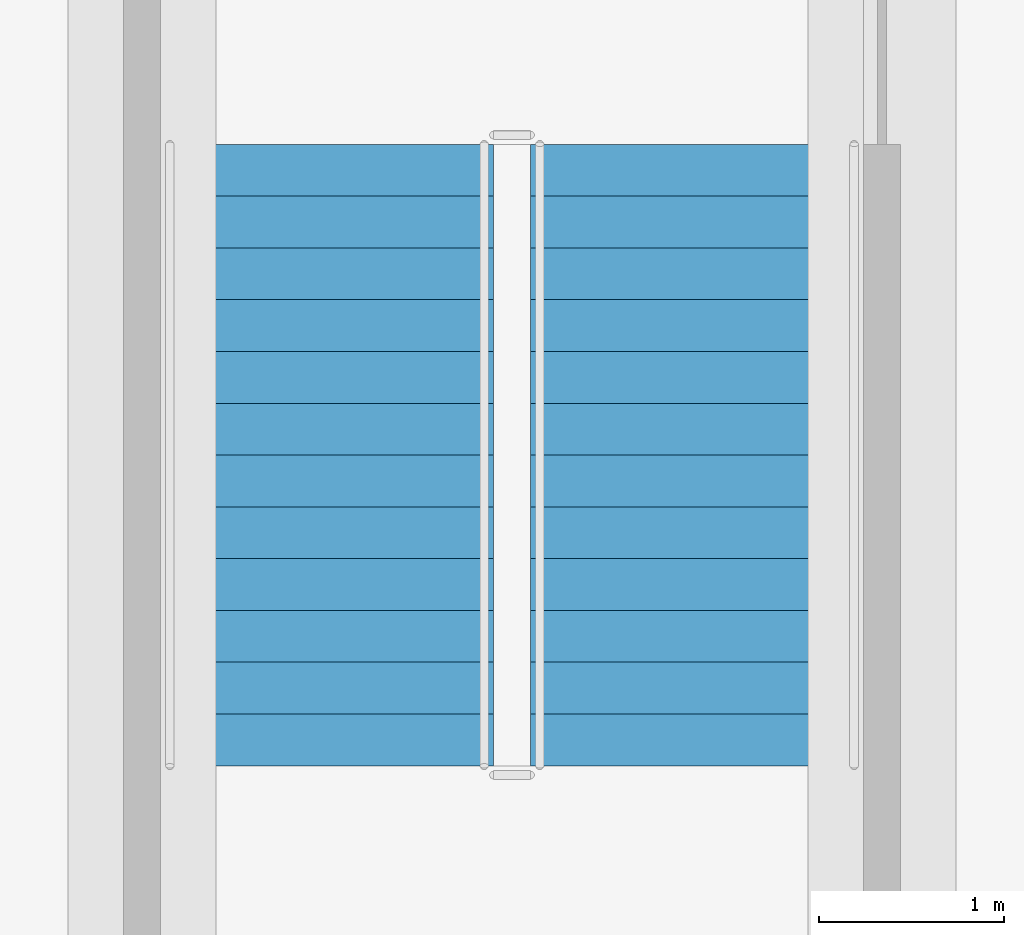
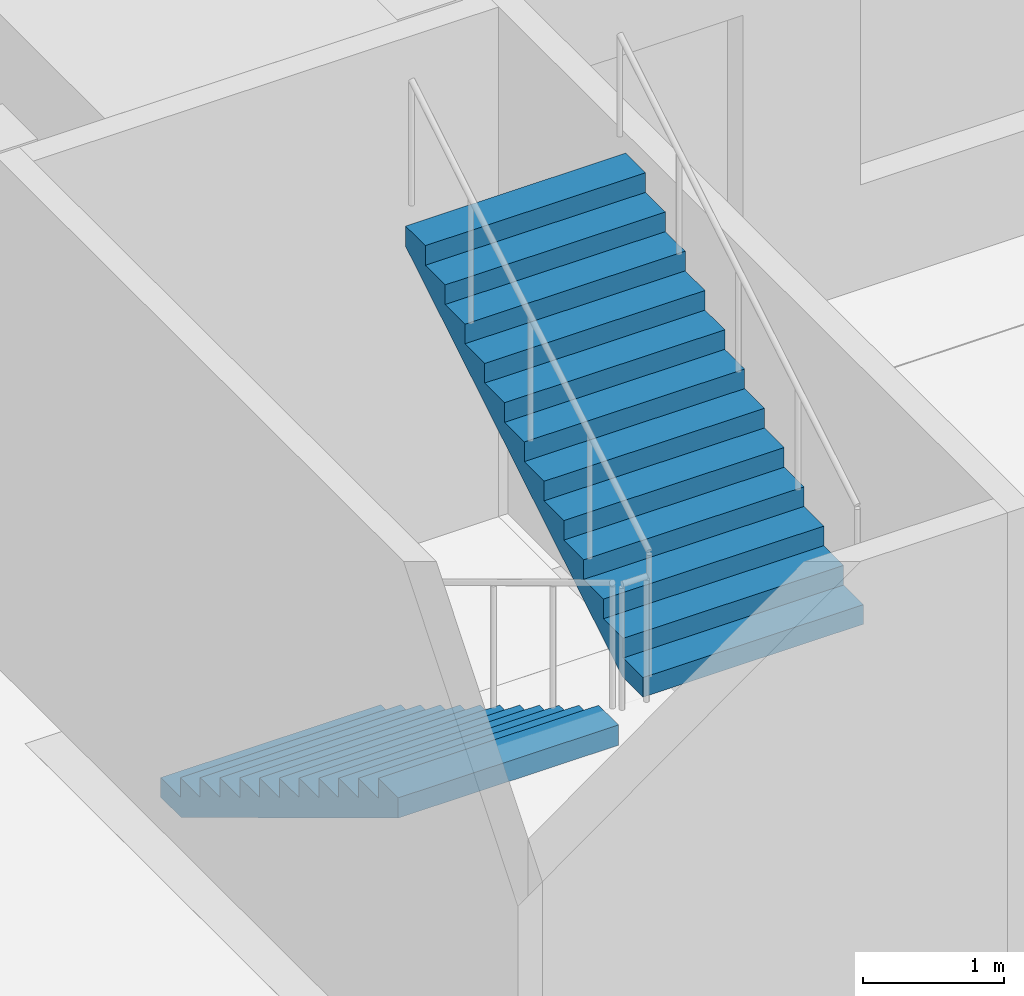
# One storey, part 111 of 139: 2 stair flights, 1 element without a shape of its own.
"""IFC4 building model written with IfcOpenShell, lengths in metres."""

import ifcopenshell
import ifcopenshell.guid

model = None  # the IFC model being written
_history = None  # IfcOwnerHistory: only IFC2X3 demands one
_inside = {}  # id of a spatial element -> (the spatial element, [elements in it])
_under = {}  # id of a project, library or spatial element -> (it, [spatial elements below it])
_declared = {}  # id of a project -> (the project, [libraries it declares])
_typed = {}  # id of a type object -> (the type object, [elements of that type])
_made_of = {}  # id of a material, layer set ... -> (it, [elements and type objects made of it])


def new_model(schema):
    """Start an empty IFC model of exactly this schema.

    Asked for "IFC4X3", IfcOpenShell would pick the latest addendum, in which some entities
    have other attributes; the version numbers below select the first issue.
    IFC2X3 requires an IfcOwnerHistory on every rooted entity: one is made here for all.
    """
    global model, _history
    if schema == "IFC4X3":
        model = ifcopenshell.file(schema_version=(4, 3, 0, 0))
    else:
        model = ifcopenshell.file(schema=schema)
    _inside.clear()
    _under.clear()
    _declared.clear()
    _typed.clear()
    _made_of.clear()
    _history = None
    if model.schema == "IFC2X3":
        org = make("IfcOrganization", Name="unknown")
        user = make(
            "IfcPersonAndOrganization",
            ThePerson=make("IfcPerson", FamilyName="unknown"),
            TheOrganization=org,
        )
        app = make(
            "IfcApplication",
            ApplicationDeveloper=org,
            Version="unknown",
            ApplicationFullName="unknown",
            ApplicationIdentifier="unknown",
        )
        _history = make(
            "IfcOwnerHistory",
            OwningUser=user,
            OwningApplication=app,
            ChangeAction="ADDED",
            CreationDate=0,
        )
    return model


def make(cls, **values):
    """One entity of the class cls with the attributes given. An attribute that is None is left unset."""
    return model.create_entity(
        cls, **{name: value for name, value in values.items() if value is not None}
    )


def rooted(cls, **values):
    """An entity with a GlobalId (a new one), such as an element, a storey or a relation."""
    return make(cls, GlobalId=ifcopenshell.guid.new(), OwnerHistory=_history, **values)


def si_unit(unit_type, name, prefix=None):
    """IfcSIUnit, for example si_unit("LENGTHUNIT", "METRE", prefix="MILLI")."""
    return make("IfcSIUnit", UnitType=unit_type, Prefix=prefix, Name=name)


def assignment(units):
    """IfcUnitAssignment: the units of a project."""
    return None if units is None else make("IfcUnitAssignment", Units=units)


def point(xyz):
    """IfcCartesianPoint."""
    return None if xyz is None else make("IfcCartesianPoint", Coordinates=xyz)


def direction(xyz):
    """IfcDirection."""
    return None if xyz is None else make("IfcDirection", DirectionRatios=xyz)


def frame(location, z_axis=None, x_axis=None):
    """IfcAxis2Placement3D, a coordinate frame: its origin and axes. An axis left out is left unset."""
    return make(
        "IfcAxis2Placement3D",
        Location=point(location),
        Axis=direction(z_axis),
        RefDirection=direction(x_axis),
    )


def origin():
    """The frame at (0, 0, 0) with its axes left unset."""
    return frame((0.0, 0.0, 0.0))


def place(relative_to, where):
    """IfcLocalPlacement: puts the frame where relative to a parent placement (None: the world)."""
    return make(
        "IfcLocalPlacement", PlacementRelTo=relative_to, RelativePlacement=where
    )


def context(
    kind, dimensions, precision=None, world=None, true_north=None, identifier=None
):
    """IfcGeometricRepresentationContext, for example the 3D "Model" context."""
    return make(
        "IfcGeometricRepresentationContext",
        ContextIdentifier=identifier,
        ContextType=kind,
        CoordinateSpaceDimension=dimensions,
        Precision=precision,
        WorldCoordinateSystem=world,
        TrueNorth=true_north,
    )


def subcontext(parent, identifier, kind, view, scale=None):
    """IfcGeometricRepresentationSubContext, for example "Body" below "Model"."""
    return make(
        "IfcGeometricRepresentationSubContext",
        ContextIdentifier=identifier,
        ContextType=kind,
        ParentContext=parent,
        TargetScale=scale,
        TargetView=view,
    )


def project(units=None, contexts=None):
    """IfcProject with its units and contexts."""
    return rooted(
        "IfcProject",
        Name="project",
        RepresentationContexts=contexts,
        UnitsInContext=assignment(units),
    )


def spatial(cls, under=None, at=None, **own):
    """A site, building, storey or space (cls), placed at a placement, below another one or the project."""
    s = rooted(cls, ObjectPlacement=at, **own)
    if under is not None:
        _under.setdefault(under.id(), (under, []))[1].append(s)
    return s


def point_list(points):
    """IfcCartesianPointList2D or 3D."""
    cls = (
        "IfcCartesianPointList2D" if len(points[0]) == 2 else "IfcCartesianPointList3D"
    )
    return make(cls, CoordList=points)


def polygons(points, faces, closed=None, point_numbers=None):
    """IfcPolygonalFaceSet: a face is its outer loop, then its inner loops; points numbered from 1."""
    made = []
    for loops in faces:
        if len(loops) == 1:
            made.append(make("IfcIndexedPolygonalFace", CoordIndex=loops[0]))
        else:
            made.append(
                make(
                    "IfcIndexedPolygonalFaceWithVoids",
                    CoordIndex=loops[0],
                    InnerCoordIndices=loops[1:],
                )
            )
    return make(
        "IfcPolygonalFaceSet",
        Coordinates=point_list(points),
        Closed=closed,
        Faces=made,
        PnIndex=point_numbers,
    )


def shape(context_of_items, identifier, shape_type, items):
    """IfcShapeRepresentation: the items that make up one representation, for example the "Body"."""
    return make(
        "IfcShapeRepresentation",
        ContextOfItems=context_of_items,
        RepresentationIdentifier=identifier,
        RepresentationType=shape_type,
        Items=items,
    )


def material(Name=None, Category=None):
    """IfcMaterial."""
    return make("IfcMaterial", Name=Name, Category=Category)


def made_of(thing, what):
    """Note that an element or type object is made of a material, layer set ...; save() writes the relation."""
    if what is not None:
        _made_of.setdefault(what.id(), (what, []))[1].append(thing)
    return thing


def type_object(cls, material=None, **own):
    """A type object (cls), such as IfcWallType, which elements share."""
    return made_of(rooted(cls, **own), material)


def element(
    cls,
    number,
    at=None,
    inside=None,
    cuts=None,
    type_object=None,
    material=None,
    context=None,
    identifier="Body",
    shape_type=None,
    held_by="IfcProductDefinitionShape",
    body=None,
    shapes=None,
    **own,
):
    """One element of the class cls, such as IfcWall. Its Tag is "e" and its number.

    at: its placement. inside: the storey or other place that contains it. cuts: it is an
    opening in that element (IfcRelVoidsElement). A single representation is given by context,
    identifier, shape_type and body (its items); several are given by shapes. held_by: the class
    of the entity that holds the representations. save() writes the other relations.
    """
    e = rooted(cls, Tag="e%d" % number, ObjectPlacement=at, **own)
    if body is not None:
        shapes = [shape(context, identifier, shape_type, body)]
    if shapes is not None:
        e.Representation = make(held_by, Representations=shapes)
    if inside is not None:
        _inside.setdefault(inside.id(), (inside, []))[1].append(e)
    if cuts is not None:
        rooted(
            "IfcRelVoidsElement", RelatingBuildingElement=cuts, RelatedOpeningElement=e
        )
    if type_object is not None:
        _typed.setdefault(type_object.id(), (type_object, []))[1].append(e)
    return made_of(e, material)


def aggregate(whole, parts):
    """IfcRelAggregates: a whole, such as a stair, and the parts it consists of."""
    return rooted("IfcRelAggregates", RelatingObject=whole, RelatedObjects=parts)


def save(model, path):
    """Write the relations noted so far, then the file.

    IfcRelAggregates (storeys below a building ...), IfcRelContainedInSpatialStructure (elements
    in a storey), IfcRelDefinesByType, IfcRelAssociatesMaterial and IfcRelDeclares: one each for
    every whole, place, type object, material and project.
    """
    for whole, parts in _under.values():
        aggregate(whole, parts)
    for where, things in _inside.values():
        rooted(
            "IfcRelContainedInSpatialStructure",
            RelatedElements=things,
            RelatingStructure=where,
        )
    for kind, things in _typed.values():
        rooted("IfcRelDefinesByType", RelatedObjects=things, RelatingType=kind)
    for what, things in _made_of.values():
        rooted("IfcRelAssociatesMaterial", RelatedObjects=things, RelatingMaterial=what)
    for by, libraries in _declared.values():
        rooted("IfcRelDeclares", RelatingContext=by, RelatedDefinitions=libraries)
    model.write(path)


model = new_model("IFC4")

# Units and contexts
model_context = context("Model", 3, precision=1e-05, world=origin(), true_north=direction((0.0, 1.0)))
body_context = subcontext(model_context, "Body", "Model", "MODEL_VIEW")
ifc_project = project(units=[si_unit("LENGTHUNIT", "METRE"), si_unit("AREAUNIT", "SQUARE_METRE"), si_unit("VOLUMEUNIT", "CUBIC_METRE"), si_unit("PLANEANGLEUNIT", "RADIAN"), si_unit("MASSUNIT", "GRAM", prefix="KILO")], contexts=[model_context])

# Site, building, storey
site_placement = place(None, origin())
site = spatial("IfcSite", under=ifc_project, at=site_placement, CompositionType="ELEMENT")
building_placement = place(site_placement, origin())
building = spatial("IfcBuilding", under=site, at=building_placement, Name="Verrick Yard Athletic Hall", CompositionType="ELEMENT")
storey_placement = place(building_placement, origin())
storey = spatial("IfcBuildingStorey", under=building, at=storey_placement, Name="L00", CompositionType="ELEMENT", Elevation=0.0)

# Stair, stair flights
ifc_material = material(Name="Concrete 35 MPa", Category="concrete")
stair_type = type_object("IfcStairType", Name="Stair ST3 1800 wide 26 risers", PredefinedType="HALF_TURN_STAIR", material=ifc_material)
stair_placement = place(storey_placement, origin())
stair = element("IfcStair", 1, at=stair_placement, inside=storey, type_object=stair_type, Name="South deck escape 2 stair L00", PredefinedType="HALF_TURN_STAIR")
stair_flight_type = type_object("IfcStairFlightType", Name="Stair flight SF3 1800 wide 13 risers", PredefinedType="STRAIGHT", material=ifc_material)
stair_flight_1_placement = place(storey_placement, frame((139.800048828125, 16.0, 0.0), z_axis=(0.0, 0.0, 1.0), x_axis=(0.0, -1.0, 0.0)))
stair_flight_1 = element("IfcStairFlight", 2, at=stair_flight_1_placement, type_object=stair_flight_type, Name="ST3 flight 1", NumberOfRisers=13, NumberOfTreads=12, PredefinedType="STRAIGHT", RiserHeight=0.169230769, TreadLength=0.28, context=body_context, shape_type="Tessellation", body=[
    polygons([(0.28980123017674275, -0.89990234375, 0.0), (3.3600000000000003, -0.89990234375, 1.855614638571585), (3.3600000000000003, -0.89990234375, 2.030769228), (3.08, -0.89990234375, 2.030769228), (3.08, -0.89990234375, 1.8615384590000001), (2.8000000000000003, -0.89990234375, 1.8615384590000001), (2.8000000000000003, -0.89990234375, 1.69230769), (2.5200000000000005, -0.89990234375, 1.69230769), (2.5200000000000005, -0.89990234375, 1.523076921), (2.24, -0.89990234375, 1.523076921), (2.24, -0.89990234375, 1.353846152), (1.9600000000000002, -0.89990234375, 1.353846152), (1.9600000000000002, -0.89990234375, 1.1846153830000001), (1.6800000000000002, -0.89990234375, 1.1846153830000001), (1.6800000000000002, -0.89990234375, 1.015384614), (1.4000000000000001, -0.89990234375, 1.015384614), (1.4000000000000001, -0.89990234375, 0.846153845), (1.12, -0.89990234375, 0.846153845), (1.12, -0.89990234375, 0.676923076), (0.8400000000000001, -0.89990234375, 0.676923076), (0.8400000000000001, -0.89990234375, 0.507692307), (0.56, -0.89990234375, 0.507692307), (0.56, -0.89990234375, 0.338461538), (0.28, -0.89990234375, 0.338461538), (0.28, -0.89990234375, 0.169230769), (0.0, -0.89990234375, 0.169230769), (0.0, -0.89990234375, 0.0), (0.28980123017674275, -0.179931640625, 0.0), (3.3600000000000003, -0.179931640625, 1.855614638571585), (3.3600000000000003, -0.179931640625, 2.030769228), (3.08, -0.179931640625, 2.030769228), (3.08, -0.179931640625, 1.8615384590000001), (2.8000000000000003, -0.179931640625, 1.8615384590000001), (2.8000000000000003, -0.179931640625, 1.69230769), (2.5200000000000005, -0.179931640625, 1.69230769), (2.5200000000000005, -0.179931640625, 1.523076921), (2.24, -0.179931640625, 1.523076921), (2.24, -0.179931640625, 1.353846152), (1.9600000000000002, -0.179931640625, 1.353846152), (1.9600000000000002, -0.179931640625, 1.1846153830000001), (1.6800000000000002, -0.179931640625, 1.1846153830000001), (1.6800000000000002, -0.179931640625, 1.015384614), (1.4000000000000001, -0.179931640625, 1.015384614), (1.4000000000000001, -0.179931640625, 0.846153845), (1.12, -0.179931640625, 0.846153845), (1.12, -0.179931640625, 0.676923076), (0.8400000000000001, -0.179931640625, 0.676923076), (0.8400000000000001, -0.179931640625, 0.507692307), (0.56, -0.179931640625, 0.507692307), (0.56, -0.179931640625, 0.338461538), (0.28, -0.179931640625, 0.338461538), (0.28, -0.179931640625, 0.169230769), (0.0, -0.179931640625, 0.169230769), (0.0, -0.179931640625, 0.0), (0.28980123017674275, 0.179931640625, 0.0), (3.3600000000000003, 0.179931640625, 1.855614638571585), (3.3600000000000003, 0.179931640625, 2.030769228), (3.08, 0.179931640625, 2.030769228), (3.08, 0.179931640625, 1.8615384590000001), (2.8000000000000003, 0.179931640625, 1.8615384590000001), (2.8000000000000003, 0.179931640625, 1.69230769), (2.5200000000000005, 0.179931640625, 1.69230769), (2.5200000000000005, 0.179931640625, 1.523076921), (2.24, 0.179931640625, 1.523076921), (2.24, 0.179931640625, 1.353846152), (1.9600000000000002, 0.179931640625, 1.353846152), (1.9600000000000002, 0.179931640625, 1.1846153830000001), (1.6800000000000002, 0.179931640625, 1.1846153830000001), (1.6800000000000002, 0.179931640625, 1.015384614), (1.4000000000000001, 0.179931640625, 1.015384614), (1.4000000000000001, 0.179931640625, 0.846153845), (1.12, 0.179931640625, 0.846153845), (1.12, 0.179931640625, 0.676923076), (0.8400000000000001, 0.179931640625, 0.676923076), (0.8400000000000001, 0.179931640625, 0.507692307), (0.56, 0.179931640625, 0.507692307), (0.56, 0.179931640625, 0.338461538), (0.28, 0.179931640625, 0.338461538), (0.28, 0.179931640625, 0.169230769), (0.0, 0.179931640625, 0.169230769), (0.0, 0.179931640625, 0.0), (0.28980123017674275, 0.89990234375, 0.0), (3.3600000000000003, 0.89990234375, 1.855614638571585), (3.3600000000000003, 0.89990234375, 2.030769228), (3.08, 0.89990234375, 2.030769228), (3.08, 0.89990234375, 1.8615384590000001), (2.8000000000000003, 0.89990234375, 1.8615384590000001), (2.8000000000000003, 0.89990234375, 1.69230769), (2.5200000000000005, 0.89990234375, 1.69230769), (2.5200000000000005, 0.89990234375, 1.523076921), (2.24, 0.89990234375, 1.523076921), (2.24, 0.89990234375, 1.353846152), (1.9600000000000002, 0.89990234375, 1.353846152), (1.9600000000000002, 0.89990234375, 1.1846153830000001), (1.6800000000000002, 0.89990234375, 1.1846153830000001), (1.6800000000000002, 0.89990234375, 1.015384614), (1.4000000000000001, 0.89990234375, 1.015384614), (1.4000000000000001, 0.89990234375, 0.846153845), (1.12, 0.89990234375, 0.846153845), (1.12, 0.89990234375, 0.676923076), (0.8400000000000001, 0.89990234375, 0.676923076), (0.8400000000000001, 0.89990234375, 0.507692307), (0.56, 0.89990234375, 0.507692307), (0.56, 0.89990234375, 0.338461538), (0.28, 0.89990234375, 0.338461538), (0.28, 0.89990234375, 0.169230769), (0.0, 0.89990234375, 0.169230769), (0.0, 0.89990234375, 0.0)], [[[1, 2, 3, 4, 5, 6, 7, 8, 9, 10, 11, 12, 13, 14, 15, 16, 17, 18, 19, 20, 21, 22, 23, 24, 25, 26, 27]], [[108, 107, 106, 105, 104, 103, 102, 101, 100, 99, 98, 97, 96, 95, 94, 93, 92, 91, 90, 89, 88, 87, 86, 85, 84, 83, 82]], [[1, 28, 29, 2]], [[2, 29, 30, 3]], [[3, 30, 31, 4]], [[4, 31, 32, 5]], [[5, 32, 33, 6]], [[6, 33, 34, 7]], [[7, 34, 35, 8]], [[8, 35, 36, 9]], [[9, 36, 37, 10]], [[10, 37, 38, 11]], [[11, 38, 39, 12]], [[12, 39, 40, 13]], [[13, 40, 41, 14]], [[14, 41, 42, 15]], [[15, 42, 43, 16]], [[16, 43, 44, 17]], [[17, 44, 45, 18]], [[18, 45, 46, 19]], [[19, 46, 47, 20]], [[20, 47, 48, 21]], [[21, 48, 49, 22]], [[22, 49, 50, 23]], [[23, 50, 51, 24]], [[24, 51, 52, 25]], [[25, 52, 53, 26]], [[26, 53, 54, 27]], [[27, 54, 28, 1]], [[28, 55, 56, 29]], [[29, 56, 57, 30]], [[30, 57, 58, 31]], [[31, 58, 59, 32]], [[32, 59, 60, 33]], [[33, 60, 61, 34]], [[34, 61, 62, 35]], [[35, 62, 63, 36]], [[36, 63, 64, 37]], [[37, 64, 65, 38]], [[38, 65, 66, 39]], [[39, 66, 67, 40]], [[40, 67, 68, 41]], [[41, 68, 69, 42]], [[42, 69, 70, 43]], [[43, 70, 71, 44]], [[44, 71, 72, 45]], [[45, 72, 73, 46]], [[46, 73, 74, 47]], [[47, 74, 75, 48]], [[48, 75, 76, 49]], [[49, 76, 77, 50]], [[50, 77, 78, 51]], [[51, 78, 79, 52]], [[52, 79, 80, 53]], [[53, 80, 81, 54]], [[54, 81, 55, 28]], [[55, 82, 83, 56]], [[56, 83, 84, 57]], [[57, 84, 85, 58]], [[58, 85, 86, 59]], [[59, 86, 87, 60]], [[60, 87, 88, 61]], [[61, 88, 89, 62]], [[62, 89, 90, 63]], [[63, 90, 91, 64]], [[64, 91, 92, 65]], [[65, 92, 93, 66]], [[66, 93, 94, 67]], [[67, 94, 95, 68]], [[68, 95, 96, 69]], [[69, 96, 97, 70]], [[70, 97, 98, 71]], [[71, 98, 99, 72]], [[72, 99, 100, 73]], [[73, 100, 101, 74]], [[74, 101, 102, 75]], [[75, 102, 103, 76]], [[76, 103, 104, 77]], [[77, 104, 105, 78]], [[78, 105, 106, 79]], [[79, 106, 107, 80]], [[80, 107, 108, 81]], [[81, 108, 82, 55]]], closed=True),
])
stair_flight_2_placement = place(storey_placement, frame((141.800048828125, 12.639892578125, 2.199951171875), z_axis=(0.0, 0.0, 1.0), x_axis=(0.0, 1.0, 0.0)))
stair_flight_2 = element("IfcStairFlight", 3, at=stair_flight_2_placement, type_object=stair_flight_type, Name="ST3 flight 2", NumberOfRisers=13, NumberOfTreads=12, PredefinedType="STRAIGHT", RiserHeight=0.169230769, TreadLength=0.28, context=body_context, shape_type="Tessellation", body=[
    polygons([(0.28980123017674275, -0.89990234375, 0.0), (3.3600000000000003, -0.89990234375, 1.855614638571585), (3.3600000000000003, -0.89990234375, 2.030769228), (3.08, -0.89990234375, 2.030769228), (3.08, -0.89990234375, 1.8615384590000001), (2.8000000000000003, -0.89990234375, 1.8615384590000001), (2.8000000000000003, -0.89990234375, 1.69230769), (2.5200000000000005, -0.89990234375, 1.69230769), (2.5200000000000005, -0.89990234375, 1.523076921), (2.24, -0.89990234375, 1.523076921), (2.24, -0.89990234375, 1.353846152), (1.9600000000000002, -0.89990234375, 1.353846152), (1.9600000000000002, -0.89990234375, 1.1846153830000001), (1.6800000000000002, -0.89990234375, 1.1846153830000001), (1.6800000000000002, -0.89990234375, 1.015384614), (1.4000000000000001, -0.89990234375, 1.015384614), (1.4000000000000001, -0.89990234375, 0.846153845), (1.12, -0.89990234375, 0.846153845), (1.12, -0.89990234375, 0.676923076), (0.8400000000000001, -0.89990234375, 0.676923076), (0.8400000000000001, -0.89990234375, 0.507692307), (0.56, -0.89990234375, 0.507692307), (0.56, -0.89990234375, 0.338461538), (0.28, -0.89990234375, 0.338461538), (0.28, -0.89990234375, 0.169230769), (0.0, -0.89990234375, 0.169230769), (0.0, -0.89990234375, 0.0), (0.28980123017674275, -0.179931640625, 0.0), (3.3600000000000003, -0.179931640625, 1.855614638571585), (3.3600000000000003, -0.179931640625, 2.030769228), (3.08, -0.179931640625, 2.030769228), (3.08, -0.179931640625, 1.8615384590000001), (2.8000000000000003, -0.179931640625, 1.8615384590000001), (2.8000000000000003, -0.179931640625, 1.69230769), (2.5200000000000005, -0.179931640625, 1.69230769), (2.5200000000000005, -0.179931640625, 1.523076921), (2.24, -0.179931640625, 1.523076921), (2.24, -0.179931640625, 1.353846152), (1.9600000000000002, -0.179931640625, 1.353846152), (1.9600000000000002, -0.179931640625, 1.1846153830000001), (1.6800000000000002, -0.179931640625, 1.1846153830000001), (1.6800000000000002, -0.179931640625, 1.015384614), (1.4000000000000001, -0.179931640625, 1.015384614), (1.4000000000000001, -0.179931640625, 0.846153845), (1.12, -0.179931640625, 0.846153845), (1.12, -0.179931640625, 0.676923076), (0.8400000000000001, -0.179931640625, 0.676923076), (0.8400000000000001, -0.179931640625, 0.507692307), (0.56, -0.179931640625, 0.507692307), (0.56, -0.179931640625, 0.338461538), (0.28, -0.179931640625, 0.338461538), (0.28, -0.179931640625, 0.169230769), (0.0, -0.179931640625, 0.169230769), (0.0, -0.179931640625, 0.0), (0.28980123017674275, 0.179931640625, 0.0), (3.3600000000000003, 0.179931640625, 1.855614638571585), (3.3600000000000003, 0.179931640625, 2.030769228), (3.08, 0.179931640625, 2.030769228), (3.08, 0.179931640625, 1.8615384590000001), (2.8000000000000003, 0.179931640625, 1.8615384590000001), (2.8000000000000003, 0.179931640625, 1.69230769), (2.5200000000000005, 0.179931640625, 1.69230769), (2.5200000000000005, 0.179931640625, 1.523076921), (2.24, 0.179931640625, 1.523076921), (2.24, 0.179931640625, 1.353846152), (1.9600000000000002, 0.179931640625, 1.353846152), (1.9600000000000002, 0.179931640625, 1.1846153830000001), (1.6800000000000002, 0.179931640625, 1.1846153830000001), (1.6800000000000002, 0.179931640625, 1.015384614), (1.4000000000000001, 0.179931640625, 1.015384614), (1.4000000000000001, 0.179931640625, 0.846153845), (1.12, 0.179931640625, 0.846153845), (1.12, 0.179931640625, 0.676923076), (0.8400000000000001, 0.179931640625, 0.676923076), (0.8400000000000001, 0.179931640625, 0.507692307), (0.56, 0.179931640625, 0.507692307), (0.56, 0.179931640625, 0.338461538), (0.28, 0.179931640625, 0.338461538), (0.28, 0.179931640625, 0.169230769), (0.0, 0.179931640625, 0.169230769), (0.0, 0.179931640625, 0.0), (0.28980123017674275, 0.89990234375, 0.0), (3.3600000000000003, 0.89990234375, 1.855614638571585), (3.3600000000000003, 0.89990234375, 2.030769228), (3.08, 0.89990234375, 2.030769228), (3.08, 0.89990234375, 1.8615384590000001), (2.8000000000000003, 0.89990234375, 1.8615384590000001), (2.8000000000000003, 0.89990234375, 1.69230769), (2.5200000000000005, 0.89990234375, 1.69230769), (2.5200000000000005, 0.89990234375, 1.523076921), (2.24, 0.89990234375, 1.523076921), (2.24, 0.89990234375, 1.353846152), (1.9600000000000002, 0.89990234375, 1.353846152), (1.9600000000000002, 0.89990234375, 1.1846153830000001), (1.6800000000000002, 0.89990234375, 1.1846153830000001), (1.6800000000000002, 0.89990234375, 1.015384614), (1.4000000000000001, 0.89990234375, 1.015384614), (1.4000000000000001, 0.89990234375, 0.846153845), (1.12, 0.89990234375, 0.846153845), (1.12, 0.89990234375, 0.676923076), (0.8400000000000001, 0.89990234375, 0.676923076), (0.8400000000000001, 0.89990234375, 0.507692307), (0.56, 0.89990234375, 0.507692307), (0.56, 0.89990234375, 0.338461538), (0.28, 0.89990234375, 0.338461538), (0.28, 0.89990234375, 0.169230769), (0.0, 0.89990234375, 0.169230769), (0.0, 0.89990234375, 0.0)], [[[1, 2, 3, 4, 5, 6, 7, 8, 9, 10, 11, 12, 13, 14, 15, 16, 17, 18, 19, 20, 21, 22, 23, 24, 25, 26, 27]], [[108, 107, 106, 105, 104, 103, 102, 101, 100, 99, 98, 97, 96, 95, 94, 93, 92, 91, 90, 89, 88, 87, 86, 85, 84, 83, 82]], [[1, 28, 29, 2]], [[2, 29, 30, 3]], [[3, 30, 31, 4]], [[4, 31, 32, 5]], [[5, 32, 33, 6]], [[6, 33, 34, 7]], [[7, 34, 35, 8]], [[8, 35, 36, 9]], [[9, 36, 37, 10]], [[10, 37, 38, 11]], [[11, 38, 39, 12]], [[12, 39, 40, 13]], [[13, 40, 41, 14]], [[14, 41, 42, 15]], [[15, 42, 43, 16]], [[16, 43, 44, 17]], [[17, 44, 45, 18]], [[18, 45, 46, 19]], [[19, 46, 47, 20]], [[20, 47, 48, 21]], [[21, 48, 49, 22]], [[22, 49, 50, 23]], [[23, 50, 51, 24]], [[24, 51, 52, 25]], [[25, 52, 53, 26]], [[26, 53, 54, 27]], [[27, 54, 28, 1]], [[28, 55, 56, 29]], [[29, 56, 57, 30]], [[30, 57, 58, 31]], [[31, 58, 59, 32]], [[32, 59, 60, 33]], [[33, 60, 61, 34]], [[34, 61, 62, 35]], [[35, 62, 63, 36]], [[36, 63, 64, 37]], [[37, 64, 65, 38]], [[38, 65, 66, 39]], [[39, 66, 67, 40]], [[40, 67, 68, 41]], [[41, 68, 69, 42]], [[42, 69, 70, 43]], [[43, 70, 71, 44]], [[44, 71, 72, 45]], [[45, 72, 73, 46]], [[46, 73, 74, 47]], [[47, 74, 75, 48]], [[48, 75, 76, 49]], [[49, 76, 77, 50]], [[50, 77, 78, 51]], [[51, 78, 79, 52]], [[52, 79, 80, 53]], [[53, 80, 81, 54]], [[54, 81, 55, 28]], [[55, 82, 83, 56]], [[56, 83, 84, 57]], [[57, 84, 85, 58]], [[58, 85, 86, 59]], [[59, 86, 87, 60]], [[60, 87, 88, 61]], [[61, 88, 89, 62]], [[62, 89, 90, 63]], [[63, 90, 91, 64]], [[64, 91, 92, 65]], [[65, 92, 93, 66]], [[66, 93, 94, 67]], [[67, 94, 95, 68]], [[68, 95, 96, 69]], [[69, 96, 97, 70]], [[70, 97, 98, 71]], [[71, 98, 99, 72]], [[72, 99, 100, 73]], [[73, 100, 101, 74]], [[74, 101, 102, 75]], [[75, 102, 103, 76]], [[76, 103, 104, 77]], [[77, 104, 105, 78]], [[78, 105, 106, 79]], [[79, 106, 107, 80]], [[80, 107, 108, 81]], [[81, 108, 82, 55]]], closed=True),
])
aggregate(stair, [stair_flight_1, stair_flight_2])

save(model, "model.ifc")
